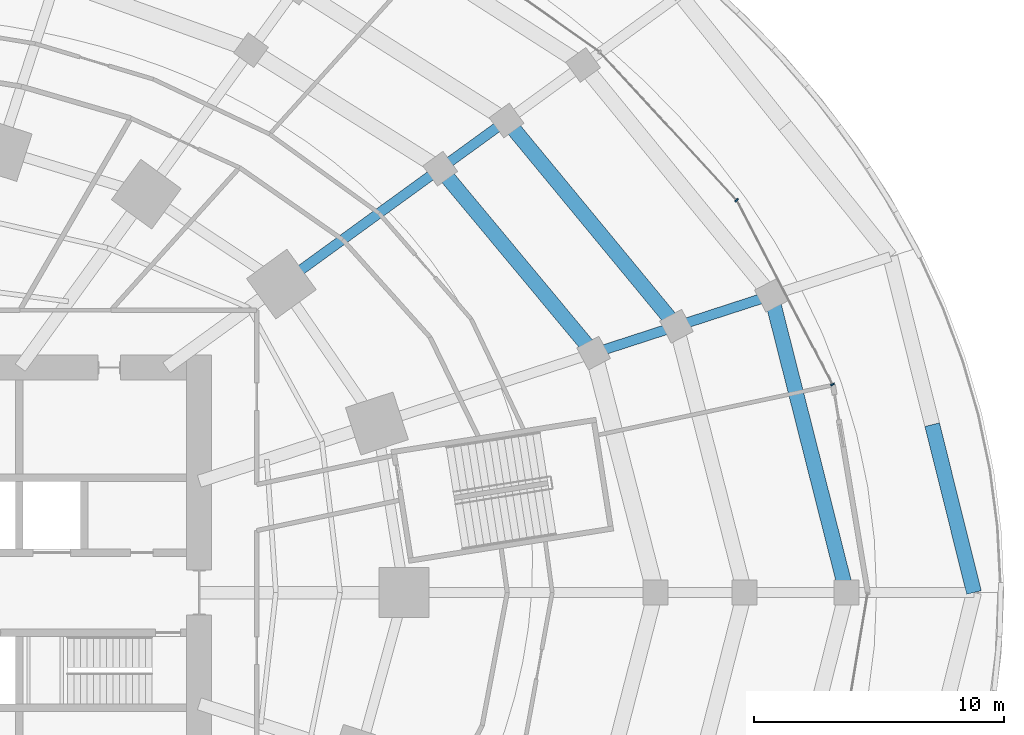
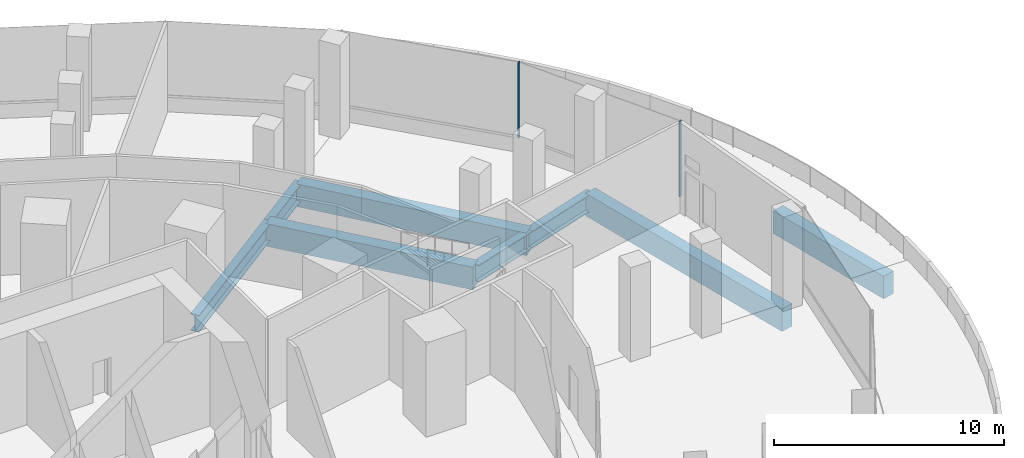
# One storey, part 14 of 31: 8 beams, 2 members, 1 element without a shape of its own.
"""IFC4 building model written with IfcOpenShell, lengths in metres."""

from ifc_helpers import new_model, si_unit, direction, frame, origin, origin_2d, place, context, subcontext, project, spatial, rectangle, i_section, extrude, material, material_profile, profile_set, type_object, element, aggregate, save


model = new_model("IFC4")

# Units and contexts
model_context = context("Model", 3, precision=1e-05, world=origin(), true_north=direction((0.0, 1.0)))
body_context = subcontext(model_context, "Body", "Model", "MODEL_VIEW")
ifc_project = project(units=[si_unit("LENGTHUNIT", "METRE"), si_unit("AREAUNIT", "SQUARE_METRE"), si_unit("VOLUMEUNIT", "CUBIC_METRE"), si_unit("PLANEANGLEUNIT", "RADIAN"), si_unit("MASSUNIT", "GRAM", prefix="KILO")], contexts=[model_context])

# Site, building, storey
site_placement = place(None, origin())
site = spatial("IfcSite", under=ifc_project, at=site_placement, CompositionType="ELEMENT")
building_placement = place(site_placement, origin())
building = spatial("IfcBuilding", under=site, at=building_placement, Name="Marramba Exchange Tower", CompositionType="ELEMENT")
storey_placement = place(building_placement, frame((0.0, 0.0, 5.60009765625)))
storey = spatial("IfcBuildingStorey", under=building, at=storey_placement, Name="L01", CompositionType="ELEMENT", Elevation=5.60009765625)

# Beams
ifc_material_1 = material(Name="Concrete N50", Category="concrete")
ifc_material_profile_1 = material_profile(ifc_material_1, rectangle(XDim=0.60009765625, YDim=1.199951171875, at=origin_2d()), Name="RC 600x1200")
ifc_profile_set_1 = profile_set([ifc_material_profile_1], Name="Concrete N50")
beam_type_1 = type_object("IfcBeamType", Name="Edge beam RC 600x1200 N50", PredefinedType="SPANDREL", material=ifc_profile_set_1)
beam_1_placement = place(storey_placement, frame((44.699951171875, 0.0, -0.85009765625), z_axis=(-0.241871786274, 0.97030821856, 0.0), x_axis=(-0.97030821856, -0.241871786274, 0.0)))
element("IfcBeam", 1, at=beam_1_placement, inside=storey, type_object=beam_type_1, Name="Edge beam L01 P0C01 half 1", PredefinedType="SPANDREL", context=body_context, shape_type="SweptSolid", body=[
    extrude(rectangle(XDim=0.60009765625, YDim=1.199951171875, at=origin_2d()), origin(), (0.0, 0.0, 1.0), 6.92333984375),
])
beam_2_placement = place(storey_placement, frame((39.60009765625, 0.0, -0.800048828125), z_axis=(-0.245536956623, 0.969387230642, 0.0), x_axis=(-0.969387230642, -0.245536956623, 0.0)))
element("IfcBeam", 2, at=beam_2_placement, inside=storey, type_object=beam_type_1, Name="Edge beam L01 P1C01", PredefinedType="SPANDREL", context=body_context, shape_type="SweptSolid", body=[
    extrude(rectangle(XDim=0.60009765625, YDim=1.199951171875, at=origin_2d()), origin(), (0.0, 0.0, 1.0), 12.263916015625),
])
beam_3_placement = place(storey_placement, frame((32.793701171875, 10.6552734375, -0.800048828125), z_axis=(-0.636682264125, 0.77112625072, 0.0), x_axis=(-0.77112625072, -0.636682264125, 0.0)))
element("IfcBeam", 3, at=beam_3_placement, inside=storey, type_object=beam_type_1, Name="Edge beam L01 P2C02", PredefinedType="SPANDREL", context=body_context, shape_type="SweptSolid", body=[
    extrude(rectangle(XDim=0.60009765625, YDim=1.199951171875, at=origin_2d()), origin(), (0.0, 0.0, 1.0), 10.67578125),
])
beam_4_placement = place(storey_placement, frame((29.48193359375, 9.579345703125, -0.800048828125), z_axis=(-0.639553814052, 0.768746329377, 0.0), x_axis=(-0.768746329377, -0.639553814052, 0.0)))
element("IfcBeam", 4, at=beam_4_placement, inside=storey, type_object=beam_type_1, Name="Edge beam L01 P3C02", PredefinedType="SPANDREL", context=body_context, shape_type="SweptSolid", body=[
    extrude(rectangle(XDim=0.60009765625, YDim=1.199951171875, at=origin_2d()), origin(), (0.0, 0.0, 1.0), 9.599853515625),
])

# Curtain wall, members
ifc_material_2 = material(Name="Aluminium framing, bronze anodised", Category="aluminium")
curtain_wall_type = type_object("IfcCurtainWallType", Name="Podium ribbon curtain wall", PredefinedType="USERDEFINED", material=ifc_material_2)
curtain_wall_placement = place(storey_placement, origin())
curtain_wall = element("IfcCurtainWall", 5, at=curtain_wall_placement, inside=storey, type_object=curtain_wall_type, Name="Curtain wall CW2 L01 F02-F05", ObjectType="RIBBON CURTAIN WALL", PredefinedType="USERDEFINED")
ifc_material_3 = material(Name="Aluminium mullion, bronze anodised", Category="aluminium")
ifc_material_profile_2 = material_profile(ifc_material_3, rectangle(XDim=0.159912109375, YDim=0.06005859375, at=origin_2d()), Name="CW2 mullion 60x160")
ifc_profile_set_2 = profile_set([ifc_material_profile_2], Name="Aluminium mullion, bronze anodised")
member_type = type_object("IfcMemberType", Name="Podium ribbon curtain wall mullion", PredefinedType="MULLION", material=ifc_profile_set_2)
member_1_placement = place(storey_placement, frame((39.0419921875, 8.328125, 0.7998046875), z_axis=(0.0, 0.0, 1.0), x_axis=(-0.887158690523, -0.46146447082, 0.0)))
member_1 = element("IfcMember", 6, at=member_1_placement, type_object=member_type, Name="CW2 mullion 1", PredefinedType="MULLION", context=body_context, shape_type="SweptSolid", body=[
    extrude(rectangle(XDim=0.159912109375, YDim=0.06005859375, at=origin_2d()), origin(), (0.0, 0.0, 1.0), 4.0),
])
member_2_placement = place(storey_placement, frame((35.197509765625, 15.7021484375, 0.7998046875), z_axis=(0.0, 0.0, 1.0), x_axis=(-0.734926145947, -0.678147152175, 0.0)))
member_2 = element("IfcMember", 7, at=member_2_placement, type_object=member_type, Name="CW2 mullion 1", PredefinedType="MULLION", context=body_context, shape_type="SweptSolid", body=[
    extrude(rectangle(XDim=0.159912109375, YDim=0.06005859375, at=origin_2d()), origin(), (0.0, 0.0, 1.0), 4.0),
])
aggregate(curtain_wall, [member_1, member_2])

# Beams
ifc_material_4 = material(Name="Steel AS/NZS 3679.2 grade 300", Category="steel")
ifc_material_profile_3 = material_profile(ifc_material_4, i_section(OverallWidth=0.39990234375, OverallDepth=0.89990234375, WebThickness=0.01611328125, FlangeThickness=0.031982421875, at=origin_2d()), Name="900WB282")
ifc_profile_set_3 = profile_set([ifc_material_profile_3], Name="Steel AS/NZS 3679.2 grade 300")
beam_type_2 = type_object("IfcBeamType", Name="Radial girder 900WB282", PredefinedType="BEAM", material=ifc_profile_set_3)
beam_5_placement = place(storey_placement, frame((36.5888671875, 11.888427734375, -0.650146484375), z_axis=(-0.951054298871, -0.309023818822, 0.0), x_axis=(0.309023818822, -0.951054298871, 0.0)))
element("IfcBeam", 8, at=beam_5_placement, inside=storey, type_object=beam_type_2, Name="Radial girder L01 P1C02", PredefinedType="BEAM", context=body_context, shape_type="SweptSolid", body=[
    extrude(i_section(OverallWidth=0.39990234375, OverallDepth=0.89990234375, WebThickness=0.01611328125, FlangeThickness=0.031982421875, at=origin_2d()), origin(), (0.0, 0.0, 1.0), 3.990478515625),
])
beam_6_placement = place(storey_placement, frame((32.793701171875, 10.6552734375, -0.650146484375), z_axis=(-0.951067553557, -0.308983023113, 0.0), x_axis=(0.308983023113, -0.951067553557, 0.0)))
element("IfcBeam", 9, at=beam_6_placement, inside=storey, type_object=beam_type_2, Name="Radial girder L01 P2C02", PredefinedType="BEAM", context=body_context, shape_type="SweptSolid", body=[
    extrude(i_section(OverallWidth=0.39990234375, OverallDepth=0.89990234375, WebThickness=0.01611328125, FlangeThickness=0.031982421875, at=origin_2d()), origin(), (0.0, 0.0, 1.0), 3.482177734375),
])
beam_7_placement = place(storey_placement, frame((25.99658203125, 18.8876953125, -0.650146484375), z_axis=(-0.809015945709, -0.587786695655, 0.0), x_axis=(0.587786695655, -0.809015945709, 0.0)))
element("IfcBeam", 10, at=beam_7_placement, inside=storey, type_object=beam_type_2, Name="Radial girder L01 P2C03", PredefinedType="BEAM", context=body_context, shape_type="SweptSolid", body=[
    extrude(i_section(OverallWidth=0.39990234375, OverallDepth=0.89990234375, WebThickness=0.01611328125, FlangeThickness=0.031982421875, at=origin_2d()), origin(), (0.0, 0.0, 1.0), 3.281005859375),
])
beam_8_placement = place(storey_placement, frame((23.34228515625, 16.959228515625, -0.650146484375), z_axis=(-0.809006078677, -0.587800276169, 0.0), x_axis=(0.587800276169, -0.809006078677, 0.0)))
element("IfcBeam", 11, at=beam_8_placement, inside=storey, type_object=beam_type_2, Name="Radial girder L01 P3C03", PredefinedType="BEAM", context=body_context, shape_type="SweptSolid", body=[
    extrude(i_section(OverallWidth=0.39990234375, OverallDepth=0.89990234375, WebThickness=0.01611328125, FlangeThickness=0.031982421875, at=origin_2d()), origin(), (0.0, 0.0, 1.0), 7.857177734375),
])

save(model, "model.ifc")
